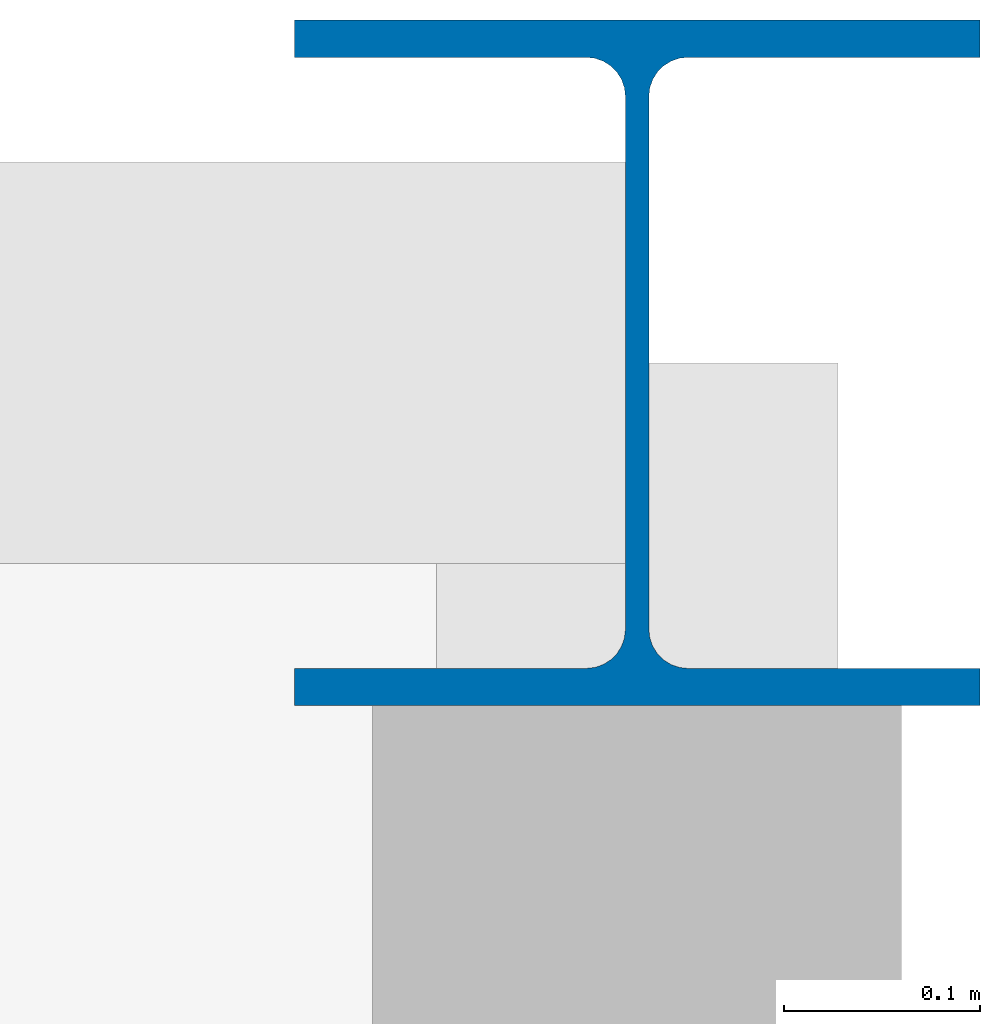
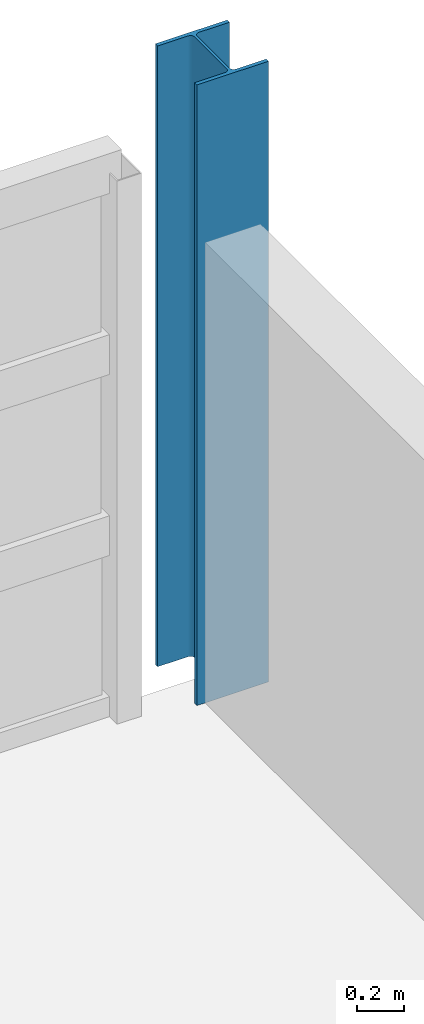
# One storey, part 5 of 30: 1 column.
"""IFC4 building model written with IfcOpenShell, lengths in metres."""

from ifc_helpers import new_model, si_unit, direction, frame, origin, origin_2d, place, context, subcontext, project, spatial, i_section, extrude, material, material_profile, profile_set, type_object, element, save


model = new_model("IFC4")

# Units and contexts
model_context = context("Model", 3, precision=1e-05, world=origin(), true_north=direction((0.0, 1.0)))
body_context = subcontext(model_context, "Body", "Model", "MODEL_VIEW")
ifc_project = project(units=[si_unit("LENGTHUNIT", "METRE"), si_unit("AREAUNIT", "SQUARE_METRE"), si_unit("VOLUMEUNIT", "CUBIC_METRE"), si_unit("PLANEANGLEUNIT", "RADIAN"), si_unit("MASSUNIT", "GRAM", prefix="KILO")], contexts=[model_context])

# Site, building, storey
site_placement = place(None, origin())
site = spatial("IfcSite", under=ifc_project, at=site_placement, CompositionType="ELEMENT")
building_placement = place(site_placement, origin())
building = spatial("IfcBuilding", under=site, at=building_placement, Name="Chuanluo Vaults Station", CompositionType="ELEMENT")
storey_placement = place(building_placement, frame((0.0, 0.0, 17.60009765625)))
storey = spatial("IfcBuildingStorey", under=building, at=storey_placement, Name="L04", CompositionType="ELEMENT", Elevation=17.60009765625)

# Column
ifc_material = material(Name="Steel Q355C", Category="steel")
ifc_material_profile = material_profile(ifc_material, i_section(OverallWidth=0.35009765625, OverallDepth=0.35009765625, WebThickness=0.011962890625, FlangeThickness=0.01904296875, FilletRadius=0.02001953125, at=origin_2d()))
ifc_profile_set = profile_set([ifc_material_profile], Name="Steel Q355C")
column_type = type_object("IfcColumnType", Name="COL-STL-HW350", PredefinedType="COLUMN", material=ifc_profile_set)
column_placement = place(storey_placement, frame((188.0, 126.0, 0.0), z_axis=(0.0, 0.0, 1.0), x_axis=(1.0, 0.0, 0.0)))
element("IfcColumn", 1, at=column_placement, inside=storey, type_object=column_type, Name="Column L04-174", PredefinedType="COLUMN", context=body_context, shape_type="SweptSolid", body=[
    extrude(i_section(OverallWidth=0.35009765625, OverallDepth=0.35009765625, WebThickness=0.011962890625, FlangeThickness=0.01904296875, FilletRadius=0.02001953125, at=origin_2d()), origin(), (0.0, 0.0, 1.0), 3.199951171875),
])

save(model, "model.ifc")
